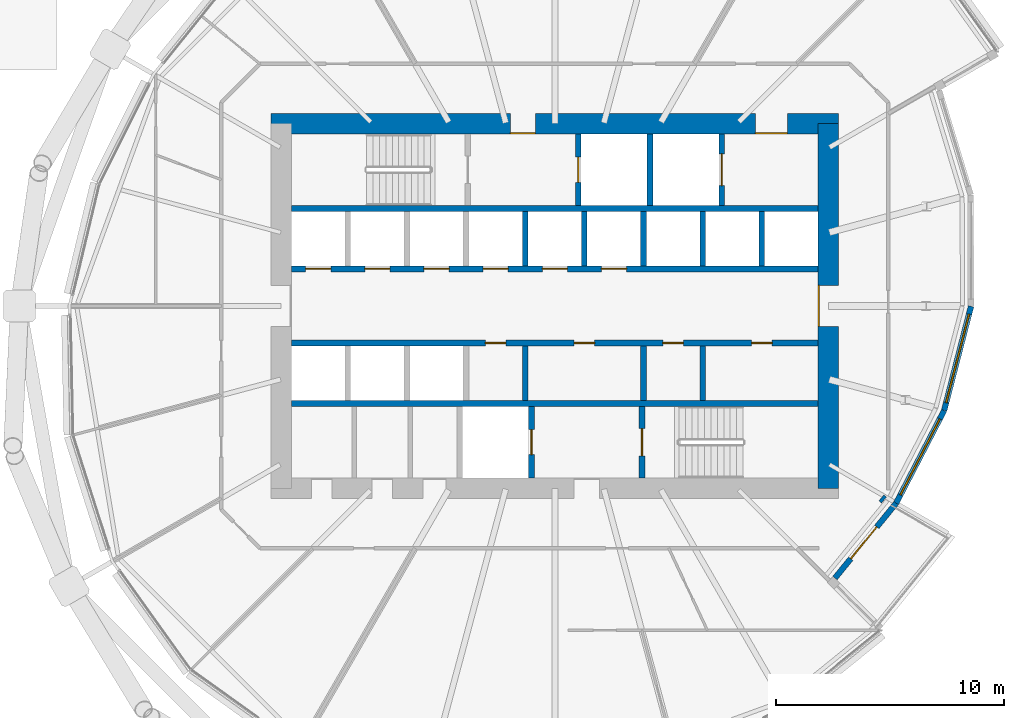
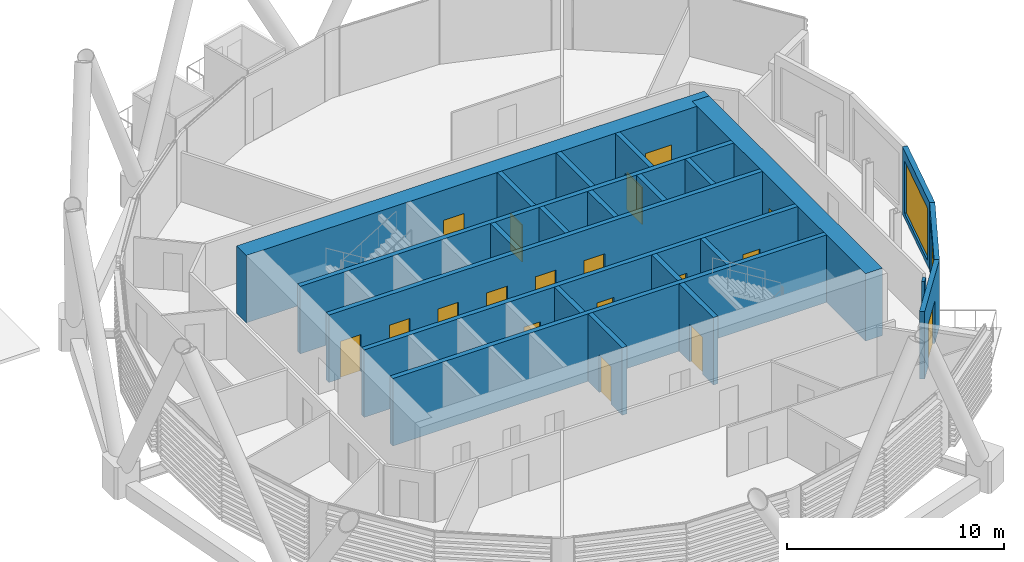
# One storey, part 26 of 34: 23 walls, 18 doors, 2 windows, 20 openings.
"""IFC4 building model written with IfcOpenShell, lengths in metres."""

from ifc_helpers import new_model, si_unit, direction, frame, frame_2d, origin, place, context, subcontext, project, spatial, rectangle, extrude, material, layer, layer_set, type_object, element, fill, save


model = new_model("IFC4")

# Units and contexts
model_context = context("Model", 3, precision=1e-05, world=origin(), true_north=direction((0.0, 1.0)))
body_context = subcontext(model_context, "Body", "Model", "MODEL_VIEW")
ifc_project = project(units=[si_unit("LENGTHUNIT", "METRE"), si_unit("AREAUNIT", "SQUARE_METRE"), si_unit("VOLUMEUNIT", "CUBIC_METRE"), si_unit("PLANEANGLEUNIT", "RADIAN"), si_unit("MASSUNIT", "GRAM", prefix="KILO")], contexts=[model_context])

# Site, building, storey
site_placement = place(None, origin())
site = spatial("IfcSite", under=ifc_project, at=site_placement, CompositionType="ELEMENT")
building_placement = place(site_placement, origin())
building = spatial("IfcBuilding", under=site, at=building_placement, Name="Rimbun Link Towers", CompositionType="ELEMENT")
storey_placement = place(building_placement, frame((0.0, 0.0, 41.39990234375)))
storey = spatial("IfcBuildingStorey", under=building, at=storey_placement, Name="L09", CompositionType="ELEMENT", Elevation=41.39990234375)

# Wall, opening, door
ifc_material_1 = material(Name="Dark enamelled glass spandrel on insulated aluminium backpan", Category="aluminium")
ifc_layer_1 = layer(ifc_material_1, 0.25)
ifc_layer_set_1 = layer_set([ifc_layer_1], Name="CS dark enamelled spandrel wall 250")
wall_type_1 = type_object("IfcWallType", Name="CS dark enamelled spandrel wall 250", PredefinedType="STANDARD", material=ifc_layer_set_1)
wall_1_placement = place(storey_placement, frame((46.72021484375, -8.6513671875, 0.0), z_axis=(0.0, 0.0, 1.0), x_axis=(-0.632842569206, -0.774280493491, 0.0)))
wall_1 = element("IfcWall", 1, at=wall_1_placement, inside=storey, type_object=wall_type_1, Name="Crease spandrel wall", PredefinedType="STANDARD", context=body_context, shape_type="SweptSolid", body=[
    extrude(rectangle(XDim=4.239501953125, YDim=0.25, at=frame_2d((2.11962890625, 0.0))), origin(), (0.0, 0.0, 1.0), 3.800048828125),
])
opening_1_placement = place(wall_1_placement, frame((1.345458984375, 0.0, 0.0)))
opening_1 = element("IfcOpeningElement", 2, at=opening_1_placement, cuts=wall_1, Name="Opening ED54", PredefinedType="OPENING", context=body_context, shape_type="SweptSolid", body=[
    extrude(rectangle(XDim=1.800048828125, YDim=2.39990234375, at=frame_2d((0.89990234375, 1.199951171875))), frame((0.0, 0.135009765625, 0.0), z_axis=(0.0, -1.0, 0.0), x_axis=(1.0, 0.0, 0.0)), (0.0, 0.0, 1.0), 0.27001953125),
])
ifc_material_2 = material(Name="Aluminium framed glazed door, low-iron glass", Category="aluminium")
door_type_1 = type_object("IfcDoorType", Name="ED terrace door double leaf 1800X2400", OperationType="DOUBLE_DOOR_SINGLE_SWING", PredefinedType="DOOR", material=ifc_material_2)
door_1_placement = place(opening_1_placement, origin())
door_1 = element("IfcDoor", 3, at=door_1_placement, inside=storey, type_object=door_type_1, Name="Terrace door", OperationType="SINGLE_SWING_LEFT", OverallHeight=2.39990234375, OverallWidth=1.800048828125, PredefinedType="DOOR", context=body_context, shape_type="SweptSolid", body=[
    extrude(rectangle(XDim=1.800048828125, YDim=2.39990234375, at=frame_2d((0.89990234375, 1.199951171875))), frame((0.0, 0.02490234375, 0.0), z_axis=(0.0, -1.0, 0.0), x_axis=(1.0, 0.0, 0.0)), (0.0, 0.0, 1.0), 0.050048828125),
])
fill(opening_1, door_1)

# Wall, opening, window
wall_2_placement = place(storey_placement, frame((48.826171875, -4.589111328125, 0.0), z_axis=(0.0, 0.0, 1.0), x_axis=(-0.460248636708, -0.887790060999, 0.0)))
wall_2 = element("IfcWall", 4, at=wall_2_placement, inside=storey, type_object=wall_type_1, Name="Crease spandrel wall", PredefinedType="STANDARD", context=body_context, shape_type="SweptSolid", body=[
    extrude(rectangle(XDim=4.57568359375, YDim=0.25, at=frame_2d((2.287841796875, 0.0))), origin(), (0.0, 0.0, 1.0), 3.800048828125),
])
opening_2_placement = place(wall_2_placement, frame((0.412841796875, 0.0, 0.300048828125)))
opening_2 = element("IfcOpeningElement", 5, at=opening_2_placement, cuts=wall_2, Name="Opening WR38H295", PredefinedType="OPENING", context=body_context, shape_type="SweptSolid", body=[
    extrude(rectangle(XDim=3.75, YDim=2.949951171875, at=frame_2d((1.875, 1.47509765625))), frame((0.0, 0.135009765625, 0.0), z_axis=(0.0, -1.0, 0.0), x_axis=(1.0, 0.0, 0.0)), (0.0, 0.0, 1.0), 0.27001953125),
])
ifc_material_3 = material(Name="Aluminium framed fixed window, dark tinted low-e glass", Category="aluminium")
window_type_1 = type_object("IfcWindowType", Name="WR ribbon window 3750X2950", PartitioningType="SINGLE_PANEL", PredefinedType="WINDOW", material=ifc_material_3)
window_1_placement = place(opening_2_placement, origin())
window_1 = element("IfcWindow", 6, at=window_1_placement, inside=storey, type_object=window_type_1, Name="Crease ribbon window", OverallHeight=2.949951171875, OverallWidth=3.75, PartitioningType="SINGLE_PANEL", PredefinedType="WINDOW", context=body_context, shape_type="SweptSolid", body=[
    extrude(rectangle(XDim=3.75, YDim=2.949951171875, at=frame_2d((1.875, 1.47509765625))), frame((0.0, 0.030029296875, 0.0), z_axis=(0.0, -1.0, 0.0), x_axis=(1.0, 0.0, 0.0)), (0.0, 0.0, 1.0), 0.06005859375),
])
fill(opening_2, window_1)

wall_3_placement = place(storey_placement, frame((50.0068359375, -0.015625, 0.0), z_axis=(0.0, 0.0, 1.0), x_axis=(-0.24995930572, -0.968256342858, 0.0)))
wall_3 = element("IfcWall", 7, at=wall_3_placement, inside=storey, type_object=wall_type_1, Name="Crease spandrel wall", PredefinedType="STANDARD", context=body_context, shape_type="SweptSolid", body=[
    extrude(rectangle(XDim=4.723388671875, YDim=0.25, at=frame_2d((2.36181640625, 0.0))), origin(), (0.0, 0.0, 1.0), 3.800048828125),
])
opening_3_placement = place(wall_3_placement, frame((0.361572265625, 0.0, 0.300048828125)))
opening_3 = element("IfcOpeningElement", 8, at=opening_3_placement, cuts=wall_3, Name="Opening WR40H295", PredefinedType="OPENING", context=body_context, shape_type="SweptSolid", body=[
    extrude(rectangle(XDim=4.0, YDim=2.949951171875, at=frame_2d((2.0, 1.47509765625))), frame((0.0, 0.135009765625, 0.0), z_axis=(0.0, -1.0, 0.0), x_axis=(1.0, 0.0, 0.0)), (0.0, 0.0, 1.0), 0.27001953125),
])
ifc_material_4 = material(Name="Aluminium framed fixed window, dark tinted low-e glass", Category="aluminium")
window_type_2 = type_object("IfcWindowType", Name="WR ribbon window 4000X2950", PartitioningType="SINGLE_PANEL", PredefinedType="WINDOW", material=ifc_material_4)
window_2_placement = place(opening_3_placement, origin())
window_2 = element("IfcWindow", 9, at=window_2_placement, inside=storey, type_object=window_type_2, Name="Crease ribbon window", OverallHeight=2.949951171875, OverallWidth=4.0, PartitioningType="SINGLE_PANEL", PredefinedType="WINDOW", context=body_context, shape_type="SweptSolid", body=[
    extrude(rectangle(XDim=4.0, YDim=2.949951171875, at=frame_2d((2.0, 1.47509765625))), frame((0.0, 0.030029296875, 0.0), z_axis=(0.0, -1.0, 0.0), x_axis=(1.0, 0.0, 0.0)), (0.0, 0.0, 1.0), 0.06005859375),
])
fill(opening_3, window_2)

# Wall, openings, doors
ifc_material_5 = material(Name="Concrete C60/75", Category="concrete")
ifc_layer_2 = layer(ifc_material_5, 0.89990234375)
ifc_layer_set_2 = layer_set([ifc_layer_2], Name="Core shear wall 900")
wall_type_2 = type_object("IfcWallType", Name="Core shear wall 900", PredefinedType="SHEAR", material=ifc_layer_set_2)
wall_4_placement = place(storey_placement, frame((19.300048828125, 8.0, 0.0), z_axis=(0.0, 0.0, 1.0), x_axis=(1.0, 0.0, 0.0)))
wall_4 = element("IfcWall", 10, at=wall_4_placement, inside=storey, type_object=wall_type_2, Name="L09 T2 core wall N", PredefinedType="SHEAR", context=body_context, shape_type="SweptSolid", body=[
    extrude(rectangle(XDim=24.89990234375, YDim=0.89990234375, at=frame_2d((12.449951171875, 0.0))), origin(), (0.0, 0.0, 1.0), 3.800048828125),
])
opening_4_placement = place(wall_4_placement, frame((10.5, 0.0, 0.0)))
opening_4 = element("IfcOpeningElement", 11, at=opening_4_placement, cuts=wall_4, Name="Opening C2DCF01N", PredefinedType="OPENING", context=body_context, shape_type="SweptSolid", body=[
    extrude(rectangle(XDim=1.10009765625, YDim=2.10009765625, at=frame_2d((0.550048828125, 1.050048828125))), frame((0.0, 0.4599609375, 0.0), z_axis=(0.0, -1.0, 0.0), x_axis=(1.0, 0.0, 0.0)), (0.0, 0.0, 1.0), 0.919921875),
])
opening_5_placement = place(wall_4_placement, frame((21.25, 0.0, 0.0)))
opening_5 = element("IfcOpeningElement", 12, at=opening_5_placement, cuts=wall_4, Name="Opening C2DSL02N", PredefinedType="OPENING", context=body_context, shape_type="SweptSolid", body=[
    extrude(rectangle(XDim=1.39990234375, YDim=2.10009765625, at=frame_2d((0.699951171875, 1.050048828125))), frame((0.0, 0.4599609375, 0.0), z_axis=(0.0, -1.0, 0.0), x_axis=(1.0, 0.0, 0.0)), (0.0, 0.0, 1.0), 0.919921875),
])
ifc_material_6 = material(Name="Steel fire door set", Category="steel")
door_type_2 = type_object("IfcDoorType", Name="Core fire door single", OperationType="SINGLE_SWING_LEFT", PredefinedType="DOOR", material=ifc_material_6)
door_2_placement = place(opening_4_placement, origin())
door_2 = element("IfcDoor", 13, at=door_2_placement, inside=storey, type_object=door_type_2, Name="L09 T2 firefighting lobby n door", OperationType="SINGLE_SWING_LEFT", OverallHeight=2.10009765625, OverallWidth=1.10009765625, PredefinedType="DOOR", context=body_context, shape_type="SweptSolid", body=[
    extrude(rectangle(XDim=1.10009765625, YDim=2.10009765625, at=frame_2d((0.550048828125, 1.050048828125))), frame((0.0, -0.39990234375, 0.0), z_axis=(0.0, -1.0, 0.0), x_axis=(1.0, 0.0, 0.0)), (0.0, 0.0, 1.0), 0.050048828125),
])
fill(opening_4, door_2)
ifc_material_7 = material(Name="Steel fire door set", Category="steel")
door_type_3 = type_object("IfcDoorType", Name="Service lobby door double", OperationType="DOUBLE_DOOR_SINGLE_SWING", PredefinedType="DOOR", material=ifc_material_7)
door_3_placement = place(opening_5_placement, origin())
door_3 = element("IfcDoor", 14, at=door_3_placement, inside=storey, type_object=door_type_3, Name="L09 T2 service lobby door", OperationType="DOUBLE_DOOR_SINGLE_SWING", OverallHeight=2.10009765625, OverallWidth=1.39990234375, PredefinedType="DOOR", context=body_context, shape_type="SweptSolid", body=[
    extrude(rectangle(XDim=1.39990234375, YDim=2.10009765625, at=frame_2d((0.699951171875, 1.050048828125))), frame((0.0, -0.39990234375, 0.0), z_axis=(0.0, -1.0, 0.0), x_axis=(1.0, 0.0, 0.0)), (0.0, 0.0, 1.0), 0.050048828125),
])
fill(opening_5, door_3)

# Wall, opening, door
wall_5_placement = place(storey_placement, frame((43.75, -8.0, 0.0), z_axis=(0.0, 0.0, 1.0), x_axis=(0.0, 1.0, 0.0)))
wall_5 = element("IfcWall", 15, at=wall_5_placement, inside=storey, type_object=wall_type_2, Name="L09 T2 core wall E", PredefinedType="SHEAR", context=body_context, shape_type="SweptSolid", body=[
    extrude(rectangle(XDim=16.0, YDim=0.89990234375, at=frame_2d((8.0, 0.0))), origin(), (0.0, 0.0, 1.0), 3.800048828125),
])
opening_6_placement = place(wall_5_placement, frame((7.10009765625, 0.0, 0.0)))
opening_6 = element("IfcOpeningElement", 16, at=opening_6_placement, cuts=wall_5, Name="Opening C2DCL01E", PredefinedType="OPENING", context=body_context, shape_type="SweptSolid", body=[
    extrude(rectangle(XDim=1.800048828125, YDim=2.10009765625, at=frame_2d((0.89990234375, 1.050048828125))), frame((0.0, 0.4599609375, 0.0), z_axis=(0.0, -1.0, 0.0), x_axis=(1.0, 0.0, 0.0)), (0.0, 0.0, 1.0), 0.919921875),
])
ifc_material_8 = material(Name="Steel fire door set", Category="steel")
door_type_4 = type_object("IfcDoorType", Name="Core lobby door double", OperationType="DOUBLE_DOOR_SINGLE_SWING", PredefinedType="DOOR", material=ifc_material_8)
door_4_placement = place(opening_6_placement, origin())
door_4 = element("IfcDoor", 17, at=door_4_placement, inside=storey, type_object=door_type_4, Name="L09 T2 lift lobby door", OperationType="DOUBLE_DOOR_SINGLE_SWING", OverallHeight=2.10009765625, OverallWidth=1.800048828125, PredefinedType="DOOR", context=body_context, shape_type="SweptSolid", body=[
    extrude(rectangle(XDim=1.800048828125, YDim=2.10009765625, at=frame_2d((0.89990234375, 1.050048828125))), frame((0.0, 0.4501953125, 0.0), z_axis=(0.0, -1.0, 0.0), x_axis=(1.0, 0.0, 0.0)), (0.0, 0.0, 1.0), 0.050048828125),
])
fill(opening_6, door_4)

# Walls
ifc_material_9 = material(Name="Plasterboard on steel stud, mineral wool", Category="steel")
ifc_layer_3 = layer(ifc_material_9, 0.14990234375)
ifc_layer_set_3 = layer_set([ifc_layer_3], Name="Corridor wall EI 30 150 mm")
wall_type_3 = type_object("IfcWallType", Name="Corridor wall EI 30 150 mm", PredefinedType="PARTITIONING", material=ifc_layer_set_3)
wall_6_placement = place(storey_placement, frame((46.0205078125, -8.5986328125, 0.0), z_axis=(0.0, 0.0, 1.0), x_axis=(0.63292688177, 0.774211574657, 0.0)))
element("IfcWall", 18, at=wall_6_placement, inside=storey, type_object=wall_type_3, Name="Corridor wall EI 30 150 mm", PredefinedType="PARTITIONING", context=body_context, shape_type="SweptSolid", body=[
    extrude(rectangle(XDim=0.342041015625, YDim=0.14990234375, at=frame_2d((0.1708984375, 0.0))), origin(), (0.0, 0.0, 1.0), 2.779052734375),
])
ifc_material_10 = material(Name="Concrete C60/75", Category="concrete")
ifc_layer_4 = layer(ifc_material_10, 0.25)
ifc_layer_set_4 = layer_set([ifc_layer_4], Name="Shaft wall 250")
wall_type_4 = type_object("IfcWallType", Name="Shaft wall 250", PredefinedType="SHEAR", material=ifc_layer_set_4)
for number, where, z_axis, x_axis, name in (
    (19, (20.199951171875, 4.27490234375, 0.0), (0.0, 0.0, 1.0), (1.0, 0.0, 0.0), "L09 T2 core wall BN"),
    (20, (20.199951171875, -4.27490234375, 0.0), (0.0, 0.0, 1.0), (1.0, 0.0, 0.0), "L09 T2 core wall BS"),
):
    element("IfcWall", number, at=place(storey_placement, frame(where, z_axis=z_axis, x_axis=x_axis)), inside=storey, type_object=wall_type_4, Name=name, PredefinedType="SHEAR", context=body_context, shape_type="SweptSolid", body=[
        extrude(rectangle(XDim=23.10009765625, YDim=0.25, at=frame_2d((11.550048828125, 0.0))), origin(), (0.0, 0.0, 1.0), 3.800048828125),
    ])

# Wall, openings, doors
wall_7_placement = place(storey_placement, frame((20.199951171875, 1.625, 0.0), z_axis=(0.0, 0.0, 1.0), x_axis=(1.0, 0.0, 0.0)))
wall_7 = element("IfcWall", 21, at=wall_7_placement, inside=storey, type_object=wall_type_4, Name="L09 T2 core wall FN", PredefinedType="SHEAR", context=body_context, shape_type="SweptSolid", body=[
    extrude(rectangle(XDim=23.10009765625, YDim=0.25, at=frame_2d((11.550048828125, 0.0))), origin(), (0.0, 0.0, 1.0), 3.800048828125),
])
opening_7_placement = place(wall_7_placement, frame((0.622314453125, 0.0, 0.0)))
opening_7 = element("IfcOpeningElement", 22, at=opening_7_placement, cuts=wall_7, Name="Opening LD-T2-LR1", PredefinedType="OPENING", context=body_context, shape_type="SweptSolid", body=[
    extrude(rectangle(XDim=1.10009765625, YDim=2.10009765625, at=frame_2d((0.550048828125, 1.050048828125))), frame((0.0, 0.135009765625, 0.0), z_axis=(0.0, -1.0, 0.0), x_axis=(1.0, 0.0, 0.0)), (0.0, 0.0, 1.0), 0.27001953125),
])
opening_8_placement = place(wall_7_placement, frame((3.216796875, 0.0, 0.0)))
opening_8 = element("IfcOpeningElement", 23, at=opening_8_placement, cuts=wall_7, Name="Opening LD-T2-LR2", PredefinedType="OPENING", context=body_context, shape_type="SweptSolid", body=[
    extrude(rectangle(XDim=1.10009765625, YDim=2.10009765625, at=frame_2d((0.550048828125, 1.050048828125))), frame((0.0, 0.135009765625, 0.0), z_axis=(0.0, -1.0, 0.0), x_axis=(1.0, 0.0, 0.0)), (0.0, 0.0, 1.0), 0.27001953125),
])
opening_9_placement = place(wall_7_placement, frame((5.81103515625, 0.0, 0.0)))
opening_9 = element("IfcOpeningElement", 24, at=opening_9_placement, cuts=wall_7, Name="Opening LD-T2-LR3", PredefinedType="OPENING", context=body_context, shape_type="SweptSolid", body=[
    extrude(rectangle(XDim=1.10009765625, YDim=2.10009765625, at=frame_2d((0.550048828125, 1.050048828125))), frame((0.0, 0.135009765625, 0.0), z_axis=(0.0, -1.0, 0.0), x_axis=(1.0, 0.0, 0.0)), (0.0, 0.0, 1.0), 0.27001953125),
])
opening_10_placement = place(wall_7_placement, frame((8.405517578125, 0.0, 0.0)))
opening_10 = element("IfcOpeningElement", 25, at=opening_10_placement, cuts=wall_7, Name="Opening LD-T2-LR4", PredefinedType="OPENING", context=body_context, shape_type="SweptSolid", body=[
    extrude(rectangle(XDim=1.10009765625, YDim=2.10009765625, at=frame_2d((0.550048828125, 1.050048828125))), frame((0.0, 0.135009765625, 0.0), z_axis=(0.0, -1.0, 0.0), x_axis=(1.0, 0.0, 0.0)), (0.0, 0.0, 1.0), 0.27001953125),
])
opening_11_placement = place(wall_7_placement, frame((11.0, 0.0, 0.0)))
opening_11 = element("IfcOpeningElement", 26, at=opening_11_placement, cuts=wall_7, Name="Opening LD-T2-LR5", PredefinedType="OPENING", context=body_context, shape_type="SweptSolid", body=[
    extrude(rectangle(XDim=1.10009765625, YDim=2.10009765625, at=frame_2d((0.550048828125, 1.050048828125))), frame((0.0, 0.135009765625, 0.0), z_axis=(0.0, -1.0, 0.0), x_axis=(1.0, 0.0, 0.0)), (0.0, 0.0, 1.0), 0.27001953125),
])
opening_12_placement = place(wall_7_placement, frame((13.594482421875, 0.0, 0.0)))
opening_12 = element("IfcOpeningElement", 27, at=opening_12_placement, cuts=wall_7, Name="Opening LD-T2-LR6", PredefinedType="OPENING", context=body_context, shape_type="SweptSolid", body=[
    extrude(rectangle(XDim=1.10009765625, YDim=2.10009765625, at=frame_2d((0.550048828125, 1.050048828125))), frame((0.0, 0.135009765625, 0.0), z_axis=(0.0, -1.0, 0.0), x_axis=(1.0, 0.0, 0.0)), (0.0, 0.0, 1.0), 0.27001953125),
])
ifc_material_11 = material(Name="Stainless steel grade 316", Category="steel")
door_type_5 = type_object("IfcDoorType", Name="Lift landing door", OperationType="DOUBLE_DOOR_SLIDING", PredefinedType="DOOR", material=ifc_material_11)
door_5_placement = place(opening_7_placement, origin())
door_5 = element("IfcDoor", 28, at=door_5_placement, inside=storey, type_object=door_type_5, Name="L09 T2 lift LR1 landing door", OperationType="DOUBLE_DOOR_SLIDING", OverallHeight=2.10009765625, OverallWidth=1.10009765625, PredefinedType="DOOR", context=body_context, shape_type="SweptSolid", body=[
    extrude(rectangle(XDim=1.10009765625, YDim=2.10009765625, at=frame_2d((0.550048828125, 1.050048828125))), frame((0.0, 0.02490234375, 0.0), z_axis=(0.0, -1.0, 0.0), x_axis=(1.0, 0.0, 0.0)), (0.0, 0.0, 1.0), 0.050048828125),
])
fill(opening_7, door_5)
door_6_placement = place(opening_8_placement, origin())
door_6 = element("IfcDoor", 29, at=door_6_placement, inside=storey, type_object=door_type_5, Name="L09 T2 lift LR2 landing door", OperationType="DOUBLE_DOOR_SLIDING", OverallHeight=2.10009765625, OverallWidth=1.10009765625, PredefinedType="DOOR", context=body_context, shape_type="SweptSolid", body=[
    extrude(rectangle(XDim=1.10009765625, YDim=2.10009765625, at=frame_2d((0.550048828125, 1.050048828125))), frame((0.0, 0.02490234375, 0.0), z_axis=(0.0, -1.0, 0.0), x_axis=(1.0, 0.0, 0.0)), (0.0, 0.0, 1.0), 0.050048828125),
])
fill(opening_8, door_6)
door_7_placement = place(opening_9_placement, origin())
door_7 = element("IfcDoor", 30, at=door_7_placement, inside=storey, type_object=door_type_5, Name="L09 T2 lift LR3 landing door", OperationType="DOUBLE_DOOR_SLIDING", OverallHeight=2.10009765625, OverallWidth=1.10009765625, PredefinedType="DOOR", context=body_context, shape_type="SweptSolid", body=[
    extrude(rectangle(XDim=1.10009765625, YDim=2.10009765625, at=frame_2d((0.550048828125, 1.050048828125))), frame((0.0, 0.02490234375, 0.0), z_axis=(0.0, -1.0, 0.0), x_axis=(1.0, 0.0, 0.0)), (0.0, 0.0, 1.0), 0.050048828125),
])
fill(opening_9, door_7)
door_8_placement = place(opening_10_placement, origin())
door_8 = element("IfcDoor", 31, at=door_8_placement, inside=storey, type_object=door_type_5, Name="L09 T2 lift LR4 landing door", OperationType="DOUBLE_DOOR_SLIDING", OverallHeight=2.10009765625, OverallWidth=1.10009765625, PredefinedType="DOOR", context=body_context, shape_type="SweptSolid", body=[
    extrude(rectangle(XDim=1.10009765625, YDim=2.10009765625, at=frame_2d((0.550048828125, 1.050048828125))), frame((0.0, 0.02490234375, 0.0), z_axis=(0.0, -1.0, 0.0), x_axis=(1.0, 0.0, 0.0)), (0.0, 0.0, 1.0), 0.050048828125),
])
fill(opening_10, door_8)
door_9_placement = place(opening_11_placement, origin())
door_9 = element("IfcDoor", 32, at=door_9_placement, inside=storey, type_object=door_type_5, Name="L09 T2 lift LR5 landing door", OperationType="DOUBLE_DOOR_SLIDING", OverallHeight=2.10009765625, OverallWidth=1.10009765625, PredefinedType="DOOR", context=body_context, shape_type="SweptSolid", body=[
    extrude(rectangle(XDim=1.10009765625, YDim=2.10009765625, at=frame_2d((0.550048828125, 1.050048828125))), frame((0.0, 0.02490234375, 0.0), z_axis=(0.0, -1.0, 0.0), x_axis=(1.0, 0.0, 0.0)), (0.0, 0.0, 1.0), 0.050048828125),
])
fill(opening_11, door_9)
door_10_placement = place(opening_12_placement, origin())
door_10 = element("IfcDoor", 33, at=door_10_placement, inside=storey, type_object=door_type_5, Name="L09 T2 lift LR6 landing door", OperationType="DOUBLE_DOOR_SLIDING", OverallHeight=2.10009765625, OverallWidth=1.10009765625, PredefinedType="DOOR", context=body_context, shape_type="SweptSolid", body=[
    extrude(rectangle(XDim=1.10009765625, YDim=2.10009765625, at=frame_2d((0.550048828125, 1.050048828125))), frame((0.0, 0.02490234375, 0.0), z_axis=(0.0, -1.0, 0.0), x_axis=(1.0, 0.0, 0.0)), (0.0, 0.0, 1.0), 0.050048828125),
])
fill(opening_12, door_10)

wall_8_placement = place(storey_placement, frame((20.199951171875, -1.625, 0.0), z_axis=(0.0, 0.0, 1.0), x_axis=(1.0, 0.0, 0.0)))
wall_8 = element("IfcWall", 34, at=wall_8_placement, inside=storey, type_object=wall_type_4, Name="L09 T2 core wall FS", PredefinedType="SHEAR", context=body_context, shape_type="SweptSolid", body=[
    extrude(rectangle(XDim=23.10009765625, YDim=0.25, at=frame_2d((11.550048828125, 0.0))), origin(), (0.0, 0.0, 1.0), 3.800048828125),
])
opening_13_placement = place(wall_8_placement, frame((8.505615234375, 0.0, 0.0)))
opening_13 = element("IfcOpeningElement", 35, at=opening_13_placement, cuts=wall_8, Name="Opening C2DRS01FS", PredefinedType="OPENING", context=body_context, shape_type="SweptSolid", body=[
    extrude(rectangle(XDim=0.89990234375, YDim=2.10009765625, at=frame_2d((0.449951171875, 1.050048828125))), frame((0.0, 0.135009765625, 0.0), z_axis=(0.0, -1.0, 0.0), x_axis=(1.0, 0.0, 0.0)), (0.0, 0.0, 1.0), 0.27001953125),
])
opening_14_placement = place(wall_8_placement, frame((12.397216796875, 0.0, 0.0)))
opening_14 = element("IfcOpeningElement", 36, at=opening_14_placement, cuts=wall_8, Name="Opening C2DRS02FS", PredefinedType="OPENING", context=body_context, shape_type="SweptSolid", body=[
    extrude(rectangle(XDim=0.89990234375, YDim=2.10009765625, at=frame_2d((0.449951171875, 1.050048828125))), frame((0.0, 0.135009765625, 0.0), z_axis=(0.0, -1.0, 0.0), x_axis=(1.0, 0.0, 0.0)), (0.0, 0.0, 1.0), 0.27001953125),
])
opening_15_placement = place(wall_8_placement, frame((16.288818359375, 0.0, 0.0)))
opening_15 = element("IfcOpeningElement", 37, at=opening_15_placement, cuts=wall_8, Name="Opening C2DRS03FS", PredefinedType="OPENING", context=body_context, shape_type="SweptSolid", body=[
    extrude(rectangle(XDim=0.89990234375, YDim=2.10009765625, at=frame_2d((0.449951171875, 1.050048828125))), frame((0.0, 0.135009765625, 0.0), z_axis=(0.0, -1.0, 0.0), x_axis=(1.0, 0.0, 0.0)), (0.0, 0.0, 1.0), 0.27001953125),
])
opening_16_placement = place(wall_8_placement, frame((20.1806640625, 0.0, 0.0)))
opening_16 = element("IfcOpeningElement", 38, at=opening_16_placement, cuts=wall_8, Name="Opening C2DRS04FS", PredefinedType="OPENING", context=body_context, shape_type="SweptSolid", body=[
    extrude(rectangle(XDim=0.89990234375, YDim=2.10009765625, at=frame_2d((0.449951171875, 1.050048828125))), frame((0.0, 0.135009765625, 0.0), z_axis=(0.0, -1.0, 0.0), x_axis=(1.0, 0.0, 0.0)), (0.0, 0.0, 1.0), 0.27001953125),
])
ifc_material_12 = material(Name="Steel fire door set", Category="steel")
door_type_6 = type_object("IfcDoorType", Name="Core riser door", OperationType="SINGLE_SWING_LEFT", PredefinedType="DOOR", material=ifc_material_12)
door_11_placement = place(opening_13_placement, origin())
door_11 = element("IfcDoor", 39, at=door_11_placement, inside=storey, type_object=door_type_6, Name="L09 T2 cleaner store door", OperationType="SINGLE_SWING_LEFT", OverallHeight=2.10009765625, OverallWidth=0.89990234375, PredefinedType="DOOR", context=body_context, shape_type="SweptSolid", body=[
    extrude(rectangle(XDim=0.89990234375, YDim=2.10009765625, at=frame_2d((0.449951171875, 1.050048828125))), frame((0.0, 0.02490234375, 0.0), z_axis=(0.0, -1.0, 0.0), x_axis=(1.0, 0.0, 0.0)), (0.0, 0.0, 1.0), 0.050048828125),
])
fill(opening_13, door_11)
door_12_placement = place(opening_14_placement, origin())
door_12 = element("IfcDoor", 40, at=door_12_placement, inside=storey, type_object=door_type_6, Name="L09 T2 staff lounge door", OperationType="SINGLE_SWING_LEFT", OverallHeight=2.10009765625, OverallWidth=0.89990234375, PredefinedType="DOOR", context=body_context, shape_type="SweptSolid", body=[
    extrude(rectangle(XDim=0.89990234375, YDim=2.10009765625, at=frame_2d((0.449951171875, 1.050048828125))), frame((0.0, 0.02490234375, 0.0), z_axis=(0.0, -1.0, 0.0), x_axis=(1.0, 0.0, 0.0)), (0.0, 0.0, 1.0), 0.050048828125),
])
fill(opening_14, door_12)
door_13_placement = place(opening_15_placement, origin())
door_13 = element("IfcDoor", 41, at=door_13_placement, inside=storey, type_object=door_type_6, Name="L09 T2 stationery store door", OperationType="SINGLE_SWING_RIGHT", OverallHeight=2.10009765625, OverallWidth=0.89990234375, PredefinedType="DOOR", context=body_context, shape_type="SweptSolid", body=[
    extrude(rectangle(XDim=0.89990234375, YDim=2.10009765625, at=frame_2d((0.449951171875, 1.050048828125))), frame((0.0, 0.02490234375, 0.0), z_axis=(0.0, -1.0, 0.0), x_axis=(1.0, 0.0, 0.0)), (0.0, 0.0, 1.0), 0.050048828125),
])
fill(opening_15, door_13)
door_14_placement = place(opening_16_placement, origin())
door_14 = element("IfcDoor", 42, at=door_14_placement, inside=storey, type_object=door_type_6, Name="L09 T2 server room door", OperationType="SINGLE_SWING_LEFT", OverallHeight=2.10009765625, OverallWidth=0.89990234375, PredefinedType="DOOR", context=body_context, shape_type="SweptSolid", body=[
    extrude(rectangle(XDim=0.89990234375, YDim=2.10009765625, at=frame_2d((0.449951171875, 1.050048828125))), frame((0.0, 0.02490234375, 0.0), z_axis=(0.0, -1.0, 0.0), x_axis=(1.0, 0.0, 0.0)), (0.0, 0.0, 1.0), 0.050048828125),
])
fill(opening_16, door_14)

# Walls
for number, where, z_axis, x_axis, name in (
    (43, (30.452880859375, 1.75, 0.0), (0.0, 0.0, 1.0), (0.0, 1.0, 0.0), "L09 T2 core wall DN3"),
    (44, (33.047119140625, 1.75, 0.0), (0.0, 0.0, 1.0), (0.0, 1.0, 0.0), "L09 T2 core wall DN4"),
    (45, (35.6416015625, 1.75, 0.0), (0.0, 0.0, 1.0), (0.0, 1.0, 0.0), "L09 T2 core wall DN5"),
    (46, (38.236083984375, 1.75, 0.0), (0.0, 0.0, 1.0), (0.0, 1.0, 0.0), "L09 T2 core wall DN6"),
    (47, (40.83056640625, 1.75, 0.0), (0.0, 0.0, 1.0), (0.0, 1.0, 0.0), "L09 T2 core wall DN7"),
    (48, (30.452880859375, -4.14990234375, 0.0), (0.0, 0.0, 1.0), (0.0, 1.0, 0.0), "L09 T2 core wall DS3"),
    (49, (35.6416015625, -4.14990234375, 0.0), (0.0, 0.0, 1.0), (0.0, 1.0, 0.0), "L09 T2 core wall DS5"),
    (50, (38.236083984375, -4.14990234375, 0.0), (0.0, 0.0, 1.0), (0.0, 1.0, 0.0), "L09 T2 core wall DS6"),
):
    element("IfcWall", number, at=place(storey_placement, frame(where, z_axis=z_axis, x_axis=x_axis)), inside=storey, type_object=wall_type_4, Name=name, PredefinedType="SHEAR", context=body_context, shape_type="SweptSolid", body=[
        extrude(rectangle(XDim=2.39990234375, YDim=0.25, at=frame_2d((1.199951171875, 0.0))), origin(), (0.0, 0.0, 1.0), 3.800048828125),
    ])

# Wall, opening, door
wall_9_placement = place(storey_placement, frame((32.77490234375, 4.39990234375, 0.0), z_axis=(0.0, 0.0, 1.0), x_axis=(0.0, 1.0, 0.0)))
wall_9 = element("IfcWall", 51, at=wall_9_placement, inside=storey, type_object=wall_type_4, Name="L09 T2 core wall A2", PredefinedType="SHEAR", context=body_context, shape_type="SweptSolid", body=[
    extrude(rectangle(XDim=3.150146484375, YDim=0.25, at=frame_2d((1.5751953125, 0.0))), origin(), (0.0, 0.0, 1.0), 3.800048828125),
])
opening_17_placement = place(wall_9_placement, frame((1.02490234375, 0.0, 0.0)))
opening_17 = element("IfcOpeningElement", 52, at=opening_17_placement, cuts=wall_9, Name="Opening LD-T2-FF1", PredefinedType="OPENING", context=body_context, shape_type="SweptSolid", body=[
    extrude(rectangle(XDim=1.10009765625, YDim=2.10009765625, at=frame_2d((0.550048828125, 1.050048828125))), frame((0.0, 0.135009765625, 0.0), z_axis=(0.0, -1.0, 0.0), x_axis=(1.0, 0.0, 0.0)), (0.0, 0.0, 1.0), 0.27001953125),
])
door_15_placement = place(opening_17_placement, origin())
door_15 = element("IfcDoor", 53, at=door_15_placement, inside=storey, type_object=door_type_5, Name="L09 T2 lift FF1 landing door", OperationType="DOUBLE_DOOR_SLIDING", OverallHeight=2.10009765625, OverallWidth=1.10009765625, PredefinedType="DOOR", context=body_context, shape_type="SweptSolid", body=[
    extrude(rectangle(XDim=1.10009765625, YDim=2.10009765625, at=frame_2d((0.550048828125, 1.050048828125))), frame((0.0, 0.02490234375, 0.0), z_axis=(0.0, -1.0, 0.0), x_axis=(1.0, 0.0, 0.0)), (0.0, 0.0, 1.0), 0.050048828125),
])
fill(opening_17, door_15)

# Wall
wall_10_placement = place(storey_placement, frame((35.925048828125, 4.39990234375, 0.0), z_axis=(0.0, 0.0, 1.0), x_axis=(0.0, 1.0, 0.0)))
element("IfcWall", 54, at=wall_10_placement, inside=storey, type_object=wall_type_4, Name="L09 T2 core wall A3", PredefinedType="SHEAR", context=body_context, shape_type="SweptSolid", body=[
    extrude(rectangle(XDim=3.150146484375, YDim=0.25, at=frame_2d((1.5751953125, 0.0))), origin(), (0.0, 0.0, 1.0), 3.800048828125),
])

# Wall, opening, door
wall_11_placement = place(storey_placement, frame((39.074951171875, 4.39990234375, 0.0), z_axis=(0.0, 0.0, 1.0), x_axis=(0.0, 1.0, 0.0)))
wall_11 = element("IfcWall", 55, at=wall_11_placement, inside=storey, type_object=wall_type_4, Name="L09 T2 core wall A4", PredefinedType="SHEAR", context=body_context, shape_type="SweptSolid", body=[
    extrude(rectangle(XDim=3.150146484375, YDim=0.25, at=frame_2d((1.5751953125, 0.0))), origin(), (0.0, 0.0, 1.0), 3.800048828125),
])
opening_18_placement = place(wall_11_placement, frame((0.875, 0.0, 0.0)))
opening_18 = element("IfcOpeningElement", 56, at=opening_18_placement, cuts=wall_11, Name="Opening LD-T2-GL1", PredefinedType="OPENING", context=body_context, shape_type="SweptSolid", body=[
    extrude(rectangle(XDim=1.39990234375, YDim=2.10009765625, at=frame_2d((0.699951171875, 1.050048828125))), frame((0.0, 0.135009765625, 0.0), z_axis=(0.0, -1.0, 0.0), x_axis=(1.0, 0.0, 0.0)), (0.0, 0.0, 1.0), 0.27001953125),
])
ifc_material_13 = material(Name="Stainless steel grade 316", Category="steel")
door_type_7 = type_object("IfcDoorType", Name="Goods lift landing door", OperationType="DOUBLE_DOOR_SLIDING", PredefinedType="DOOR", material=ifc_material_13)
door_16_placement = place(opening_18_placement, origin())
door_16 = element("IfcDoor", 57, at=door_16_placement, inside=storey, type_object=door_type_7, Name="L09 T2 lift GL1 landing door", OperationType="DOUBLE_DOOR_SLIDING", OverallHeight=2.10009765625, OverallWidth=1.39990234375, PredefinedType="DOOR", context=body_context, shape_type="SweptSolid", body=[
    extrude(rectangle(XDim=1.39990234375, YDim=2.10009765625, at=frame_2d((0.699951171875, 1.050048828125))), frame((0.0, 0.02490234375, 0.0), z_axis=(0.0, -1.0, 0.0), x_axis=(1.0, 0.0, 0.0)), (0.0, 0.0, 1.0), 0.050048828125),
])
fill(opening_18, door_16)

wall_12_placement = place(storey_placement, frame((35.574951171875, -4.39990234375, 0.0), z_axis=(0.0, 0.0, 1.0), x_axis=(0.0, -1.0, 0.0)))
wall_12 = element("IfcWall", 58, at=wall_12_placement, inside=storey, type_object=wall_type_4, Name="L09 T2 core wall B1", PredefinedType="SHEAR", context=body_context, shape_type="SweptSolid", body=[
    extrude(rectangle(XDim=3.150146484375, YDim=0.25, at=frame_2d((1.5751953125, 0.0))), origin(), (0.0, 0.0, 1.0), 3.800048828125),
])
opening_19_placement = place(wall_12_placement, frame((0.97509765625, 0.0, 0.0)))
opening_19 = element("IfcOpeningElement", 59, at=opening_19_placement, cuts=wall_12, Name="Opening C2DST01B1", PredefinedType="OPENING", context=body_context, shape_type="SweptSolid", body=[
    extrude(rectangle(XDim=1.199951171875, YDim=2.10009765625, at=frame_2d((0.60009765625, 1.050048828125))), frame((0.0, 0.135009765625, 0.0), z_axis=(0.0, -1.0, 0.0), x_axis=(1.0, 0.0, 0.0)), (0.0, 0.0, 1.0), 0.27001953125),
])
ifc_material_14 = material(Name="Steel fire door set", Category="steel")
door_type_8 = type_object("IfcDoorType", Name="Stair door", OperationType="SINGLE_SWING_LEFT", PredefinedType="DOOR", material=ifc_material_14)
door_17_placement = place(opening_19_placement, origin())
door_17 = element("IfcDoor", 60, at=door_17_placement, inside=storey, type_object=door_type_8, Name="L09 T2 stair b door", OperationType="SINGLE_SWING_LEFT", OverallHeight=2.10009765625, OverallWidth=1.199951171875, PredefinedType="DOOR", context=body_context, shape_type="SweptSolid", body=[
    extrude(rectangle(XDim=1.199951171875, YDim=2.10009765625, at=frame_2d((0.60009765625, 1.050048828125))), frame((0.0, 0.02490234375, 0.0), z_axis=(0.0, -1.0, 0.0), x_axis=(1.0, 0.0, 0.0)), (0.0, 0.0, 1.0), 0.050048828125),
])
fill(opening_19, door_17)

wall_13_placement = place(storey_placement, frame((30.72509765625, -4.39990234375, 0.0), z_axis=(0.0, 0.0, 1.0), x_axis=(0.0, -1.0, 0.0)))
wall_13 = element("IfcWall", 61, at=wall_13_placement, inside=storey, type_object=wall_type_4, Name="L09 T2 core wall B2", PredefinedType="SHEAR", context=body_context, shape_type="SweptSolid", body=[
    extrude(rectangle(XDim=3.150146484375, YDim=0.25, at=frame_2d((1.5751953125, 0.0))), origin(), (0.0, 0.0, 1.0), 3.800048828125),
])
opening_20_placement = place(wall_13_placement, frame((1.02490234375, 0.0, 0.0)))
opening_20 = element("IfcOpeningElement", 62, at=opening_20_placement, cuts=wall_13, Name="Opening LD-T2-FF2", PredefinedType="OPENING", context=body_context, shape_type="SweptSolid", body=[
    extrude(rectangle(XDim=1.10009765625, YDim=2.10009765625, at=frame_2d((0.550048828125, 1.050048828125))), frame((0.0, 0.135009765625, 0.0), z_axis=(0.0, -1.0, 0.0), x_axis=(1.0, 0.0, 0.0)), (0.0, 0.0, 1.0), 0.27001953125),
])
door_18_placement = place(opening_20_placement, origin())
door_18 = element("IfcDoor", 63, at=door_18_placement, inside=storey, type_object=door_type_5, Name="L09 T2 lift FF2 landing door", OperationType="DOUBLE_DOOR_SLIDING", OverallHeight=2.10009765625, OverallWidth=1.10009765625, PredefinedType="DOOR", context=body_context, shape_type="SweptSolid", body=[
    extrude(rectangle(XDim=1.10009765625, YDim=2.10009765625, at=frame_2d((0.550048828125, 1.050048828125))), frame((0.0, 0.02490234375, 0.0), z_axis=(0.0, -1.0, 0.0), x_axis=(1.0, 0.0, 0.0)), (0.0, 0.0, 1.0), 0.050048828125),
])
fill(opening_20, door_18)

save(model, "model.ifc")
